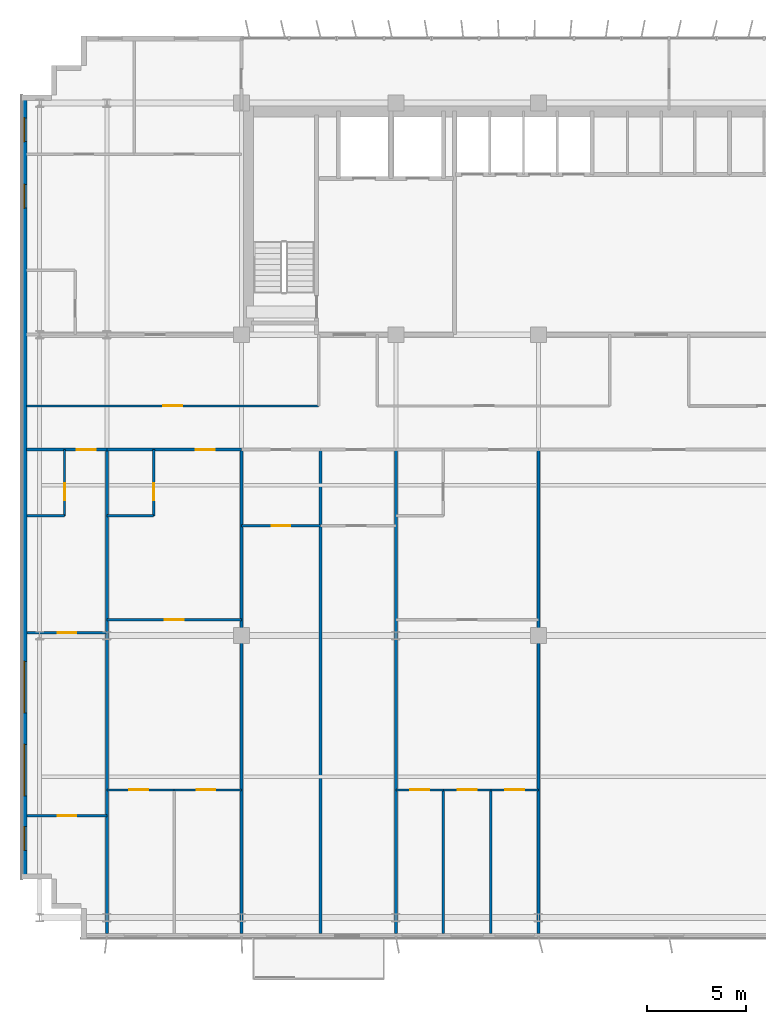
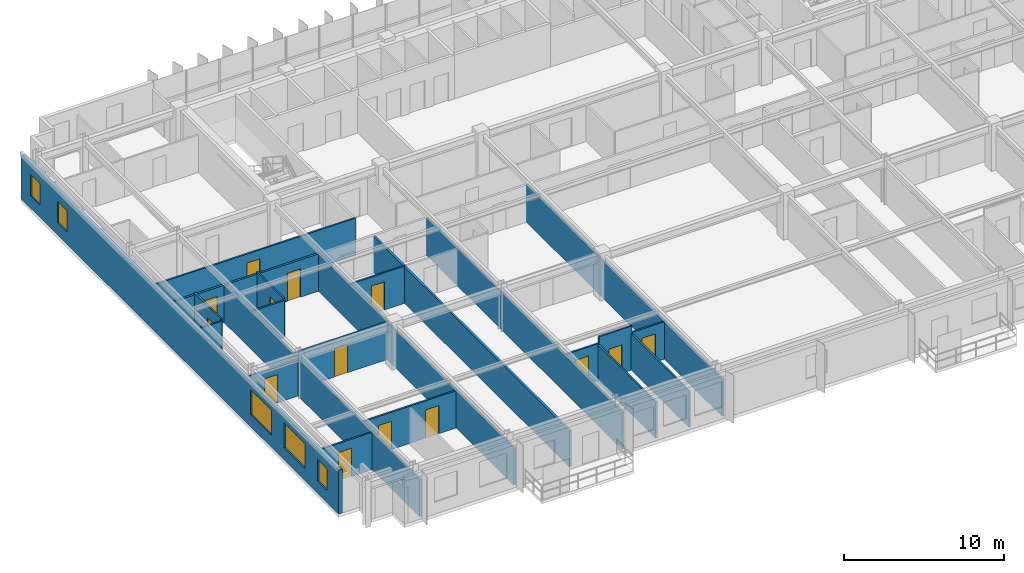
# One storey, part 14 of 22: 24 walls, 14 doors, 5 windows, 19 openings.
"""IFC4 building model written with IfcOpenShell, lengths in metres."""

from ifc_helpers import new_model, si_unit, direction, frame, frame_2d, origin, place, context, subcontext, project, spatial, rectangle, extrude, source, transform, mapped, material, layer, layer_set, type_object, element, fill, save


model = new_model("IFC4")

# Units and contexts
model_context = context("Model", 3, precision=1e-05, world=origin(), true_north=direction((0.0, 1.0)))
body_context = subcontext(model_context, "Body", "Model", "MODEL_VIEW")
ifc_project = project(units=[si_unit("LENGTHUNIT", "METRE"), si_unit("AREAUNIT", "SQUARE_METRE"), si_unit("VOLUMEUNIT", "CUBIC_METRE"), si_unit("PLANEANGLEUNIT", "RADIAN"), si_unit("MASSUNIT", "GRAM", prefix="KILO")], contexts=[model_context])

# Site, building, storey
site_placement = place(None, origin())
site = spatial("IfcSite", under=ifc_project, at=site_placement, CompositionType="ELEMENT")
building_placement = place(site_placement, origin())
building = spatial("IfcBuilding", under=site, at=building_placement, Name="Trelvane Seafront Commons", CompositionType="ELEMENT")
storey_placement = place(building_placement, frame((0.0, 0.0, 96.10009765625)))
storey = spatial("IfcBuildingStorey", under=building, at=storey_placement, Name="L24", CompositionType="ELEMENT", Elevation=96.10009765625)

# Wall, openings, windows
ifc_material_1 = material(Name="Precast concrete C40/50", Category="concrete")
ifc_layer_1 = layer(ifc_material_1, 0.260009765625, Name="ARCH-WALL-EXT260")
ifc_layer_set_1 = layer_set([ifc_layer_1], Name="Precast concrete C40/50")
wall_type_1 = type_object("IfcWallType", Name="ARCH-WALL-EXT260", PredefinedType="SOLIDWALL", material=ifc_layer_set_1)
wall_1_placement = place(storey_placement, frame((4.6298828125, 5.89990234375, 0.0), z_axis=(0.0, 0.0, 1.0), x_axis=(0.0, 1.0, 0.0)))
wall_1 = element("IfcWall", 1, at=wall_1_placement, inside=storey, type_object=wall_type_1, Name="EW-L24-00438", PredefinedType="SOLIDWALL", context=body_context, shape_type="SweptSolid", body=[
    extrude(rectangle(XDim=39.60009765625, YDim=0.260009765625, at=frame_2d((19.800048828125, 0.0))), origin(), (0.0, 0.0, 1.0), 3.33984375),
])
opening_1_placement = place(wall_1_placement, frame((1.449951171875, 0.0, 0.919921875)))
opening_1 = element("IfcOpeningElement", 2, at=opening_1_placement, cuts=wall_1, Name="Opening W05", PredefinedType="OPENING", context=body_context, shape_type="SweptSolid", body=[
    extrude(rectangle(XDim=1.199951171875, YDim=1.64990234375, at=frame_2d((0.60009765625, 0.824951171875))), frame((0.0, 0.139892578125, 0.0), z_axis=(0.0, -1.0, 0.0), x_axis=(1.0, 0.0, 0.0)), (0.0, 0.0, 1.0), 0.280029296875),
])
opening_2_placement = place(wall_1_placement, frame((4.199951171875, 0.0, 0.919921875)))
opening_2 = element("IfcOpeningElement", 3, at=opening_2_placement, cuts=wall_1, Name="Opening W04", PredefinedType="OPENING", context=body_context, shape_type="SweptSolid", body=[
    extrude(rectangle(XDim=2.60009765625, YDim=1.89990234375, at=frame_2d((1.300048828125, 0.949951171875))), frame((0.0, 0.139892578125, 0.0), z_axis=(0.0, -1.0, 0.0), x_axis=(1.0, 0.0, 0.0)), (0.0, 0.0, 1.0), 0.280029296875),
])
opening_3_placement = place(wall_1_placement, frame((8.39990234375, 0.0, 0.919921875)))
opening_3 = element("IfcOpeningElement", 4, at=opening_3_placement, cuts=wall_1, Name="Opening W04", PredefinedType="OPENING", context=body_context, shape_type="SweptSolid", body=[
    extrude(rectangle(XDim=2.60009765625, YDim=1.89990234375, at=frame_2d((1.300048828125, 0.949951171875))), frame((0.0, 0.139892578125, 0.0), z_axis=(0.0, -1.0, 0.0), x_axis=(1.0, 0.0, 0.0)), (0.0, 0.0, 1.0), 0.280029296875),
])
opening_4_placement = place(wall_1_placement, frame((33.89990234375, 0.0, 0.919921875)))
opening_4 = element("IfcOpeningElement", 5, at=opening_4_placement, cuts=wall_1, Name="Opening W05", PredefinedType="OPENING", context=body_context, shape_type="SweptSolid", body=[
    extrude(rectangle(XDim=1.199951171875, YDim=1.64990234375, at=frame_2d((0.60009765625, 0.824951171875))), frame((0.0, 0.139892578125, 0.0), z_axis=(0.0, -1.0, 0.0), x_axis=(1.0, 0.0, 0.0)), (0.0, 0.0, 1.0), 0.280029296875),
])
opening_5_placement = place(wall_1_placement, frame((37.25, 0.0, 0.919921875)))
opening_5 = element("IfcOpeningElement", 6, at=opening_5_placement, cuts=wall_1, Name="Opening W05", PredefinedType="OPENING", context=body_context, shape_type="SweptSolid", body=[
    extrude(rectangle(XDim=1.199951171875, YDim=1.64990234375, at=frame_2d((0.60009765625, 0.824951171875))), frame((0.0, 0.139892578125, 0.0), z_axis=(0.0, -1.0, 0.0), x_axis=(1.0, 0.0, 0.0)), (0.0, 0.0, 1.0), 0.280029296875),
])
ifc_material_2 = material(Name="Low-E coastal double glazing", Category="glass")
window_type_1 = type_object("IfcWindowType", Name="ARCH-WIN-W04", PartitioningType="SINGLE_PANEL", PredefinedType="WINDOW", material=ifc_material_2)
shared_shape_1 = source(origin(), body_context, "Body", "SweptSolid", [
    extrude(rectangle(XDim=2.60009765625, YDim=1.89990234375, at=frame_2d((1.300048828125, 0.949951171875))), frame((0.0, 0.030029296875, 0.0), z_axis=(0.0, -1.0, 0.0), x_axis=(1.0, 0.0, 0.0)), (0.0, 0.0, 1.0), 0.06005859375),
])
window_1_placement = place(opening_2_placement, origin())
window_1 = element("IfcWindow", 7, at=window_1_placement, inside=storey, type_object=window_type_1, Name="WIN-L24-EW-00508", OverallHeight=1.89990234375, OverallWidth=2.60009765625, PartitioningType="SINGLE_PANEL", PredefinedType="WINDOW", context=body_context, shape_type="MappedRepresentation", body=[
    mapped(shared_shape_1, transform((0.0, 0.0, 0.0), x_axis=(1.0, 0.0, 0.0), y_axis=(0.0, 1.0, 0.0), z_axis=(0.0, 0.0, 1.0), scale=1.0)),
])
fill(opening_2, window_1)
window_2_placement = place(opening_3_placement, origin())
window_2 = element("IfcWindow", 8, at=window_2_placement, inside=storey, type_object=window_type_1, Name="WIN-L24-EW-00509", OverallHeight=1.89990234375, OverallWidth=2.60009765625, PartitioningType="SINGLE_PANEL", PredefinedType="WINDOW", context=body_context, shape_type="MappedRepresentation", body=[
    mapped(shared_shape_1, transform((0.0, 0.0, 0.0), x_axis=(1.0, 0.0, 0.0), y_axis=(0.0, 1.0, 0.0), z_axis=(0.0, 0.0, 1.0), scale=1.0)),
])
fill(opening_3, window_2)
window_type_2 = type_object("IfcWindowType", Name="ARCH-WIN-W05", PartitioningType="SINGLE_PANEL", PredefinedType="WINDOW", material=ifc_material_2)
shared_shape_2 = source(origin(), body_context, "Body", "SweptSolid", [
    extrude(rectangle(XDim=1.199951171875, YDim=1.64990234375, at=frame_2d((0.60009765625, 0.824951171875))), frame((0.0, 0.030029296875, 0.0), z_axis=(0.0, -1.0, 0.0), x_axis=(1.0, 0.0, 0.0)), (0.0, 0.0, 1.0), 0.06005859375),
])
window_3_placement = place(opening_1_placement, origin())
window_3 = element("IfcWindow", 9, at=window_3_placement, inside=storey, type_object=window_type_2, Name="WIN-L24-EW-00507", OverallHeight=1.64990234375, OverallWidth=1.199951171875, PartitioningType="SINGLE_PANEL", PredefinedType="WINDOW", context=body_context, shape_type="MappedRepresentation", body=[
    mapped(shared_shape_2, transform((0.0, 0.0, 0.0), x_axis=(1.0, 0.0, 0.0), y_axis=(0.0, 1.0, 0.0), z_axis=(0.0, 0.0, 1.0), scale=1.0)),
])
fill(opening_1, window_3)
window_4_placement = place(opening_4_placement, origin())
window_4 = element("IfcWindow", 10, at=window_4_placement, inside=storey, type_object=window_type_2, Name="WIN-L24-EW-00510", OverallHeight=1.64990234375, OverallWidth=1.199951171875, PartitioningType="SINGLE_PANEL", PredefinedType="WINDOW", context=body_context, shape_type="MappedRepresentation", body=[
    mapped(shared_shape_2, transform((0.0, 0.0, 0.0), x_axis=(1.0, 0.0, 0.0), y_axis=(0.0, 1.0, 0.0), z_axis=(0.0, 0.0, 1.0), scale=1.0)),
])
fill(opening_4, window_4)
window_5_placement = place(opening_5_placement, origin())
window_5 = element("IfcWindow", 11, at=window_5_placement, inside=storey, type_object=window_type_2, Name="WIN-L24-EW-00511", OverallHeight=1.64990234375, OverallWidth=1.199951171875, PartitioningType="SINGLE_PANEL", PredefinedType="WINDOW", context=body_context, shape_type="MappedRepresentation", body=[
    mapped(shared_shape_2, transform((0.0, 0.0, 0.0), x_axis=(1.0, 0.0, 0.0), y_axis=(0.0, 1.0, 0.0), z_axis=(0.0, 0.0, 1.0), scale=1.0)),
])
fill(opening_5, window_5)

# Wall, opening, door
ifc_material_3 = material(Name="Gypsum Drywall Acoustic Partition")
ifc_layer_2 = layer(ifc_material_3, 0.1201171875, Name="ARCH-WALL-PART120")
ifc_layer_set_2 = layer_set([ifc_layer_2], Name="Gypsum Drywall Acoustic Partition")
wall_type_2 = type_object("IfcWallType", Name="ARCH-WALL-PART120", PredefinedType="PARTITIONING", material=ifc_layer_set_2)
wall_2_placement = place(storey_placement, frame((4.75, 29.800048828125, 0.0), z_axis=(0.0, 0.0, 1.0), x_axis=(1.0, 0.0, 0.0)))
wall_2 = element("IfcWall", 12, at=wall_2_placement, inside=storey, type_object=wall_type_2, Name="W-L24-CORR-N-W-039", PredefinedType="PARTITIONING", context=body_context, shape_type="SweptSolid", body=[
    extrude(rectangle(XDim=14.75, YDim=0.1201171875, at=frame_2d((7.375, 0.0))), origin(), (0.0, 0.0, 1.0), 2.83984375),
])
opening_6_placement = place(wall_2_placement, frame((6.89990234375, 0.0, 0.0)))
opening_6 = element("IfcOpeningElement", 13, at=opening_6_placement, cuts=wall_2, Name="Opening D-L24-19", PredefinedType="OPENING", context=body_context, shape_type="SweptSolid", body=[
    extrude(rectangle(XDim=0.949951171875, YDim=2.14990234375, at=frame_2d((0.47509765625, 1.074951171875))), frame((0.0, 0.070068359375, 0.0), z_axis=(0.0, -1.0, 0.0), x_axis=(1.0, 0.0, 0.0)), (0.0, 0.0, 1.0), 0.14013671875),
])
ifc_material_4 = material(Name="Acoustic timber door leaf", Category="wood")
door_type_1 = type_object("IfcDoorType", Name="ARCH-DR-INT950", OperationType="NOTDEFINED", PredefinedType="DOOR", material=ifc_material_4)
shared_shape_3 = source(origin(), body_context, "Body", "SweptSolid", [
    extrude(rectangle(XDim=0.949951171875, YDim=2.14990234375, at=frame_2d((0.47509765625, 1.074951171875))), frame((0.0, 0.02490234375, 0.0), z_axis=(0.0, -1.0, 0.0), x_axis=(1.0, 0.0, 0.0)), (0.0, 0.0, 1.0), 0.050048828125),
])
door_1_placement = place(opening_6_placement, origin())
door_1 = element("IfcDoor", 14, at=door_1_placement, inside=storey, type_object=door_type_1, Name="L24 Door 19", OperationType="SINGLE_SWING_LEFT", OverallHeight=2.14990234375, OverallWidth=0.949951171875, PredefinedType="DOOR", context=body_context, shape_type="MappedRepresentation", body=[
    mapped(shared_shape_3, transform((0.0, 0.0, 0.0), x_axis=(1.0, 0.0, 0.0), y_axis=(0.0, 1.0, 0.0), z_axis=(0.0, 0.0, 1.0), scale=1.0)),
])
fill(opening_6, door_1)

wall_3_placement = place(storey_placement, frame((4.760009765625, 18.35009765625, 0.0), z_axis=(0.0, 0.0, 1.0), x_axis=(1.0, 0.0, 0.0)))
wall_3 = element("IfcWall", 15, at=wall_3_placement, inside=storey, type_object=wall_type_2, Name="W-L24-U1-KL-070", PredefinedType="PARTITIONING", context=body_context, shape_type="SweptSolid", body=[
    extrude(rectangle(XDim=4.0400390625, YDim=0.1201171875, at=frame_2d((2.02001953125, 0.0))), origin(), (0.0, 0.0, 1.0), 2.751953125),
])
opening_7_placement = place(wall_3_placement, frame((1.544921875, 0.0, 0.0)))
opening_7 = element("IfcOpeningElement", 16, at=opening_7_placement, cuts=wall_3, Name="Opening D-L24-32", PredefinedType="OPENING", context=body_context, shape_type="SweptSolid", body=[
    extrude(rectangle(XDim=0.949951171875, YDim=2.14990234375, at=frame_2d((0.47509765625, 1.074951171875))), frame((0.0, 0.070068359375, 0.0), z_axis=(0.0, -1.0, 0.0), x_axis=(1.0, 0.0, 0.0)), (0.0, 0.0, 1.0), 0.14013671875),
])
door_2_placement = place(opening_7_placement, origin())
door_2 = element("IfcDoor", 17, at=door_2_placement, inside=storey, type_object=door_type_1, Name="L24 Door 32", OperationType="SINGLE_SWING_RIGHT", OverallHeight=2.14990234375, OverallWidth=0.949951171875, PredefinedType="DOOR", context=body_context, shape_type="MappedRepresentation", body=[
    mapped(shared_shape_3, transform((0.0, 0.0, 0.0), x_axis=(1.0, 0.0, 0.0), y_axis=(0.0, 1.0, 0.0), z_axis=(0.0, 0.0, 1.0), scale=1.0)),
])
fill(opening_7, door_2)

wall_4_placement = place(storey_placement, frame((6.659912109375, 24.25, 0.0), z_axis=(0.0, 0.0, 1.0), x_axis=(0.0, 1.0, 0.0)))
wall_4 = element("IfcWall", 18, at=wall_4_placement, inside=storey, type_object=wall_type_2, Name="W-L24-U1-BE-071", PredefinedType="PARTITIONING", context=body_context, shape_type="SweptSolid", body=[
    extrude(rectangle(XDim=3.35009765625, YDim=0.1201171875, at=frame_2d((1.675048828125, 0.0))), origin(), (0.0, 0.0, 1.0), 2.989990234375),
])
opening_8_placement = place(wall_4_placement, frame((0.800048828125, 0.0, 0.0)))
opening_8 = element("IfcOpeningElement", 19, at=opening_8_placement, cuts=wall_4, Name="Opening D-L24-33", PredefinedType="OPENING", context=body_context, shape_type="SweptSolid", body=[
    extrude(rectangle(XDim=0.85009765625, YDim=2.10009765625, at=frame_2d((0.425048828125, 1.050048828125))), frame((0.0, 0.070068359375, 0.0), z_axis=(0.0, -1.0, 0.0), x_axis=(1.0, 0.0, 0.0)), (0.0, 0.0, 1.0), 0.14013671875),
])
door_type_2 = type_object("IfcDoorType", Name="ARCH-DR-INT850", OperationType="NOTDEFINED", PredefinedType="DOOR", material=ifc_material_4)
shared_shape_4 = source(origin(), body_context, "Body", "SweptSolid", [
    extrude(rectangle(XDim=0.85009765625, YDim=2.10009765625, at=frame_2d((0.425048828125, 1.050048828125))), frame((0.0, 0.02490234375, 0.0), z_axis=(0.0, -1.0, 0.0), x_axis=(1.0, 0.0, 0.0)), (0.0, 0.0, 1.0), 0.050048828125),
])
door_3_placement = place(opening_8_placement, origin())
door_3 = element("IfcDoor", 20, at=door_3_placement, inside=storey, type_object=door_type_2, Name="L24 Door 33", OperationType="SINGLE_SWING_LEFT", OverallHeight=2.10009765625, OverallWidth=0.85009765625, PredefinedType="DOOR", context=body_context, shape_type="MappedRepresentation", body=[
    mapped(shared_shape_4, transform((0.0, 0.0, 0.0), x_axis=(1.0, 0.0, 0.0), y_axis=(0.0, 1.0, 0.0), z_axis=(0.0, 0.0, 1.0), scale=1.0)),
])
fill(opening_8, door_3)

# Wall
wall_5_placement = place(storey_placement, frame((4.760009765625, 24.25, 0.0), z_axis=(0.0, 0.0, 1.0), x_axis=(1.0, 0.0, 0.0)))
element("IfcWall", 21, at=wall_5_placement, inside=storey, type_object=wall_type_2, Name="W-L24-U1-BS-072", PredefinedType="PARTITIONING", context=body_context, shape_type="SweptSolid", body=[
    extrude(rectangle(XDim=1.89990234375, YDim=0.1201171875, at=frame_2d((0.949951171875, 0.0))), origin(), (0.0, 0.0, 1.0), 2.83984375),
])

# Wall, opening, door
wall_6_placement = place(storey_placement, frame((4.760009765625, 9.10009765625, 0.0), z_axis=(0.0, 0.0, 1.0), x_axis=(1.0, 0.0, 0.0)))
wall_6 = element("IfcWall", 22, at=wall_6_placement, inside=storey, type_object=wall_type_2, Name="W-L24-U1-YM-1-074", PredefinedType="PARTITIONING", context=body_context, shape_type="SweptSolid", body=[
    extrude(rectangle(XDim=4.0400390625, YDim=0.1201171875, at=frame_2d((2.02001953125, 0.0))), origin(), (0.0, 0.0, 1.0), 2.83984375),
])
opening_9_placement = place(wall_6_placement, frame((1.544921875, 0.0, 0.0)))
opening_9 = element("IfcOpeningElement", 23, at=opening_9_placement, cuts=wall_6, Name="Opening D-L24-35", PredefinedType="OPENING", context=body_context, shape_type="SweptSolid", body=[
    extrude(rectangle(XDim=0.949951171875, YDim=2.14990234375, at=frame_2d((0.47509765625, 1.074951171875))), frame((0.0, 0.070068359375, 0.0), z_axis=(0.0, -1.0, 0.0), x_axis=(1.0, 0.0, 0.0)), (0.0, 0.0, 1.0), 0.14013671875),
])
door_4_placement = place(opening_9_placement, origin())
door_4 = element("IfcDoor", 24, at=door_4_placement, inside=storey, type_object=door_type_1, Name="L24 Door 35", OperationType="SINGLE_SWING_LEFT", OverallHeight=2.14990234375, OverallWidth=0.949951171875, PredefinedType="DOOR", context=body_context, shape_type="MappedRepresentation", body=[
    mapped(shared_shape_3, transform((0.0, 0.0, 0.0), x_axis=(1.0, 0.0, 0.0), y_axis=(0.0, 1.0, 0.0), z_axis=(0.0, 0.0, 1.0), scale=1.0)),
])
fill(opening_9, door_4)

wall_7_placement = place(storey_placement, frame((8.800048828125, 19.0, 0.0), z_axis=(0.0, 0.0, 1.0), x_axis=(1.0, 0.0, 0.0)))
wall_7 = element("IfcWall", 25, at=wall_7_placement, inside=storey, type_object=wall_type_2, Name="W-L24-U2-KL-075", PredefinedType="PARTITIONING", context=body_context, shape_type="SweptSolid", body=[
    extrude(rectangle(XDim=6.800048828125, YDim=0.1201171875, at=frame_2d((3.39990234375, 0.0))), origin(), (0.0, 0.0, 1.0), 2.83984375),
])
opening_10_placement = place(wall_7_placement, frame((2.925048828125, 0.0, 0.0)))
opening_10 = element("IfcOpeningElement", 26, at=opening_10_placement, cuts=wall_7, Name="Opening D-L24-36", PredefinedType="OPENING", context=body_context, shape_type="SweptSolid", body=[
    extrude(rectangle(XDim=0.949951171875, YDim=2.14990234375, at=frame_2d((0.47509765625, 1.074951171875))), frame((0.0, 0.070068359375, 0.0), z_axis=(0.0, -1.0, 0.0), x_axis=(1.0, 0.0, 0.0)), (0.0, 0.0, 1.0), 0.14013671875),
])
door_5_placement = place(opening_10_placement, origin())
door_5 = element("IfcDoor", 27, at=door_5_placement, inside=storey, type_object=door_type_1, Name="L24 Door 36", OperationType="SINGLE_SWING_RIGHT", OverallHeight=2.14990234375, OverallWidth=0.949951171875, PredefinedType="DOOR", context=body_context, shape_type="MappedRepresentation", body=[
    mapped(shared_shape_3, transform((0.0, 0.0, 0.0), x_axis=(1.0, 0.0, 0.0), y_axis=(0.0, 1.0, 0.0), z_axis=(0.0, 0.0, 1.0), scale=1.0)),
])
fill(opening_10, door_5)

wall_8_placement = place(storey_placement, frame((11.162109375, 24.25, 0.0), z_axis=(0.0, 0.0, 1.0), x_axis=(0.0, 1.0, 0.0)))
wall_8 = element("IfcWall", 28, at=wall_8_placement, inside=storey, type_object=wall_type_2, Name="W-L24-U2-BE-076", PredefinedType="PARTITIONING", context=body_context, shape_type="SweptSolid", body=[
    extrude(rectangle(XDim=3.35009765625, YDim=0.1201171875, at=frame_2d((1.675048828125, 0.0))), origin(), (0.0, 0.0, 1.0), 2.989990234375),
])
opening_11_placement = place(wall_8_placement, frame((0.800048828125, 0.0, 0.0)))
opening_11 = element("IfcOpeningElement", 29, at=opening_11_placement, cuts=wall_8, Name="Opening D-L24-37", PredefinedType="OPENING", context=body_context, shape_type="SweptSolid", body=[
    extrude(rectangle(XDim=0.85009765625, YDim=2.10009765625, at=frame_2d((0.425048828125, 1.050048828125))), frame((0.0, 0.070068359375, 0.0), z_axis=(0.0, -1.0, 0.0), x_axis=(1.0, 0.0, 0.0)), (0.0, 0.0, 1.0), 0.14013671875),
])
door_6_placement = place(opening_11_placement, origin())
door_6 = element("IfcDoor", 30, at=door_6_placement, inside=storey, type_object=door_type_2, Name="L24 Door 37", OperationType="SINGLE_SWING_LEFT", OverallHeight=2.10009765625, OverallWidth=0.85009765625, PredefinedType="DOOR", context=body_context, shape_type="MappedRepresentation", body=[
    mapped(shared_shape_4, transform((0.0, 0.0, 0.0), x_axis=(1.0, 0.0, 0.0), y_axis=(0.0, 1.0, 0.0), z_axis=(0.0, 0.0, 1.0), scale=1.0)),
])
fill(opening_11, door_6)

# Wall
wall_9_placement = place(storey_placement, frame((8.800048828125, 24.25, 0.0), z_axis=(0.0, 0.0, 1.0), x_axis=(1.0, 0.0, 0.0)))
element("IfcWall", 31, at=wall_9_placement, inside=storey, type_object=wall_type_2, Name="W-L24-U2-BS-077", PredefinedType="PARTITIONING", context=body_context, shape_type="SweptSolid", body=[
    extrude(rectangle(XDim=2.362060546875, YDim=0.1201171875, at=frame_2d((1.18115234375, 0.0))), origin(), (0.0, 0.0, 1.0), 2.83984375),
])

# Wall, opening, door
wall_10_placement = place(storey_placement, frame((8.800048828125, 10.39990234375, 0.0), z_axis=(0.0, 0.0, 1.0), x_axis=(1.0, 0.0, 0.0)))
wall_10 = element("IfcWall", 32, at=wall_10_placement, inside=storey, type_object=wall_type_2, Name="W-L24-U2-YM-1-079", PredefinedType="PARTITIONING", context=body_context, shape_type="SweptSolid", body=[
    extrude(rectangle(XDim=3.39990234375, YDim=0.1201171875, at=frame_2d((1.699951171875, 0.0))), origin(), (0.0, 0.0, 1.0), 2.83984375),
])
opening_12_placement = place(wall_10_placement, frame((1.131103515625, 0.0, 0.0)))
opening_12 = element("IfcOpeningElement", 33, at=opening_12_placement, cuts=wall_10, Name="Opening D-L24-39", PredefinedType="OPENING", context=body_context, shape_type="SweptSolid", body=[
    extrude(rectangle(XDim=0.949951171875, YDim=2.14990234375, at=frame_2d((0.47509765625, 1.074951171875))), frame((0.0, 0.070068359375, 0.0), z_axis=(0.0, -1.0, 0.0), x_axis=(1.0, 0.0, 0.0)), (0.0, 0.0, 1.0), 0.14013671875),
])
door_7_placement = place(opening_12_placement, origin())
door_7 = element("IfcDoor", 34, at=door_7_placement, inside=storey, type_object=door_type_1, Name="L24 Door 39", OperationType="SINGLE_SWING_LEFT", OverallHeight=2.14990234375, OverallWidth=0.949951171875, PredefinedType="DOOR", context=body_context, shape_type="MappedRepresentation", body=[
    mapped(shared_shape_3, transform((0.0, 0.0, 0.0), x_axis=(1.0, 0.0, 0.0), y_axis=(0.0, 1.0, 0.0), z_axis=(0.0, 0.0, 1.0), scale=1.0)),
])
fill(opening_12, door_7)

wall_11_placement = place(storey_placement, frame((12.199951171875, 10.39990234375, 0.0), z_axis=(0.0, 0.0, 1.0), x_axis=(1.0, 0.0, 0.0)))
wall_11 = element("IfcWall", 35, at=wall_11_placement, inside=storey, type_object=wall_type_2, Name="W-L24-U2-YM-2-080", PredefinedType="PARTITIONING", context=body_context, shape_type="SweptSolid", body=[
    extrude(rectangle(XDim=3.400146484375, YDim=0.1201171875, at=frame_2d((1.7001953125, 0.0))), origin(), (0.0, 0.0, 1.0), 2.83984375),
])
opening_13_placement = place(wall_11_placement, frame((1.131103515625, 0.0, 0.0)))
opening_13 = element("IfcOpeningElement", 36, at=opening_13_placement, cuts=wall_11, Name="Opening D-L24-40", PredefinedType="OPENING", context=body_context, shape_type="SweptSolid", body=[
    extrude(rectangle(XDim=0.949951171875, YDim=2.14990234375, at=frame_2d((0.47509765625, 1.074951171875))), frame((0.0, 0.070068359375, 0.0), z_axis=(0.0, -1.0, 0.0), x_axis=(1.0, 0.0, 0.0)), (0.0, 0.0, 1.0), 0.14013671875),
])
door_8_placement = place(opening_13_placement, origin())
door_8 = element("IfcDoor", 37, at=door_8_placement, inside=storey, type_object=door_type_1, Name="L24 Door 40", OperationType="SINGLE_SWING_RIGHT", OverallHeight=2.14990234375, OverallWidth=0.949951171875, PredefinedType="DOOR", context=body_context, shape_type="MappedRepresentation", body=[
    mapped(shared_shape_3, transform((0.0, 0.0, 0.0), x_axis=(1.0, 0.0, 0.0), y_axis=(0.0, 1.0, 0.0), z_axis=(0.0, 0.0, 1.0), scale=1.0)),
])
fill(opening_13, door_8)

wall_12_placement = place(storey_placement, frame((15.60009765625, 23.75, 0.0), z_axis=(0.0, 0.0, 1.0), x_axis=(1.0, 0.0, 0.0)))
wall_12 = element("IfcWall", 38, at=wall_12_placement, inside=storey, type_object=wall_type_2, Name="W-L24-U3-DIV-083", PredefinedType="PARTITIONING", context=body_context, shape_type="SweptSolid", body=[
    extrude(rectangle(XDim=4.0, YDim=0.1201171875, at=frame_2d((2.0, 0.0))), origin(), (0.0, 0.0, 1.0), 2.83984375),
])
opening_14_placement = place(wall_12_placement, frame((1.52490234375, 0.0, 0.0)))
opening_14 = element("IfcOpeningElement", 39, at=opening_14_placement, cuts=wall_12, Name="Opening D-L24-42", PredefinedType="OPENING", context=body_context, shape_type="SweptSolid", body=[
    extrude(rectangle(XDim=0.949951171875, YDim=2.14990234375, at=frame_2d((0.47509765625, 1.074951171875))), frame((0.0, 0.070068359375, 0.0), z_axis=(0.0, -1.0, 0.0), x_axis=(1.0, 0.0, 0.0)), (0.0, 0.0, 1.0), 0.14013671875),
])
door_9_placement = place(opening_14_placement, origin())
door_9 = element("IfcDoor", 40, at=door_9_placement, inside=storey, type_object=door_type_1, Name="L24 Door 42", OperationType="SINGLE_SWING_RIGHT", OverallHeight=2.14990234375, OverallWidth=0.949951171875, PredefinedType="DOOR", context=body_context, shape_type="MappedRepresentation", body=[
    mapped(shared_shape_3, transform((0.0, 0.0, 0.0), x_axis=(1.0, 0.0, 0.0), y_axis=(0.0, 1.0, 0.0), z_axis=(0.0, 0.0, 1.0), scale=1.0)),
])
fill(opening_14, door_9)

wall_13_placement = place(storey_placement, frame((23.39990234375, 10.39990234375, 0.0), z_axis=(0.0, 0.0, 1.0), x_axis=(1.0, 0.0, 0.0)))
wall_13 = element("IfcWall", 41, at=wall_13_placement, inside=storey, type_object=wall_type_2, Name="W-L24-U5-YM-1-090", PredefinedType="PARTITIONING", context=body_context, shape_type="SweptSolid", body=[
    extrude(rectangle(XDim=2.400146484375, YDim=0.1201171875, at=frame_2d((1.2001953125, 0.0))), origin(), (0.0, 0.0, 1.0), 2.83984375),
])
opening_15_placement = place(wall_13_placement, frame((0.72509765625, 0.0, 0.0)))
opening_15 = element("IfcOpeningElement", 42, at=opening_15_placement, cuts=wall_13, Name="Opening D-L24-48", PredefinedType="OPENING", context=body_context, shape_type="SweptSolid", body=[
    extrude(rectangle(XDim=0.949951171875, YDim=2.14990234375, at=frame_2d((0.47509765625, 1.074951171875))), frame((0.0, 0.070068359375, 0.0), z_axis=(0.0, -1.0, 0.0), x_axis=(1.0, 0.0, 0.0)), (0.0, 0.0, 1.0), 0.14013671875),
])
door_10_placement = place(opening_15_placement, origin())
door_10 = element("IfcDoor", 43, at=door_10_placement, inside=storey, type_object=door_type_1, Name="L24 Door 48", OperationType="SINGLE_SWING_RIGHT", OverallHeight=2.14990234375, OverallWidth=0.949951171875, PredefinedType="DOOR", context=body_context, shape_type="MappedRepresentation", body=[
    mapped(shared_shape_3, transform((0.0, 0.0, 0.0), x_axis=(1.0, 0.0, 0.0), y_axis=(0.0, 1.0, 0.0), z_axis=(0.0, 0.0, 1.0), scale=1.0)),
])
fill(opening_15, door_10)

wall_14_placement = place(storey_placement, frame((25.800048828125, 10.39990234375, 0.0), z_axis=(0.0, 0.0, 1.0), x_axis=(1.0, 0.0, 0.0)))
wall_14 = element("IfcWall", 44, at=wall_14_placement, inside=storey, type_object=wall_type_2, Name="W-L24-U5-YM-2-091", PredefinedType="PARTITIONING", context=body_context, shape_type="SweptSolid", body=[
    extrude(rectangle(XDim=2.39990234375, YDim=0.1201171875, at=frame_2d((1.199951171875, 0.0))), origin(), (0.0, 0.0, 1.0), 3.33984375),
])
opening_16_placement = place(wall_14_placement, frame((0.72509765625, 0.0, 0.0)))
opening_16 = element("IfcOpeningElement", 45, at=opening_16_placement, cuts=wall_14, Name="Opening D-L24-49", PredefinedType="OPENING", context=body_context, shape_type="SweptSolid", body=[
    extrude(rectangle(XDim=0.949951171875, YDim=2.14990234375, at=frame_2d((0.47509765625, 1.074951171875))), frame((0.0, 0.070068359375, 0.0), z_axis=(0.0, -1.0, 0.0), x_axis=(1.0, 0.0, 0.0)), (0.0, 0.0, 1.0), 0.14013671875),
])
door_11_placement = place(opening_16_placement, origin())
door_11 = element("IfcDoor", 46, at=door_11_placement, inside=storey, type_object=door_type_1, Name="L24 Door 49", OperationType="SINGLE_SWING_LEFT", OverallHeight=2.14990234375, OverallWidth=0.949951171875, PredefinedType="DOOR", context=body_context, shape_type="MappedRepresentation", body=[
    mapped(shared_shape_3, transform((0.0, 0.0, 0.0), x_axis=(1.0, 0.0, 0.0), y_axis=(0.0, 1.0, 0.0), z_axis=(0.0, 0.0, 1.0), scale=1.0)),
])
fill(opening_16, door_11)

# Wall
wall_15_placement = place(storey_placement, frame((25.800048828125, 3.14501953125, 0.0), z_axis=(0.0, 0.0, 1.0), x_axis=(0.0, 1.0, 0.0)))
element("IfcWall", 47, at=wall_15_placement, inside=storey, type_object=wall_type_2, Name="W-L24-U5-BDV-1-092", PredefinedType="PARTITIONING", context=body_context, shape_type="SweptSolid", body=[
    extrude(rectangle(XDim=7.2548828125, YDim=0.1201171875, at=frame_2d((3.62744140625, 0.0))), origin(), (0.0, 0.0, 1.0), 2.751953125),
])

# Wall, opening, door
wall_16_placement = place(storey_placement, frame((28.199951171875, 10.39990234375, 0.0), z_axis=(0.0, 0.0, 1.0), x_axis=(1.0, 0.0, 0.0)))
wall_16 = element("IfcWall", 48, at=wall_16_placement, inside=storey, type_object=wall_type_2, Name="W-L24-U5-YM-3-093", PredefinedType="PARTITIONING", context=body_context, shape_type="SweptSolid", body=[
    extrude(rectangle(XDim=2.400146484375, YDim=0.1201171875, at=frame_2d((1.2001953125, 0.0))), origin(), (0.0, 0.0, 1.0), 2.83984375),
])
opening_17_placement = place(wall_16_placement, frame((0.72509765625, 0.0, 0.0)))
opening_17 = element("IfcOpeningElement", 49, at=opening_17_placement, cuts=wall_16, Name="Opening D-L24-50", PredefinedType="OPENING", context=body_context, shape_type="SweptSolid", body=[
    extrude(rectangle(XDim=0.949951171875, YDim=2.14990234375, at=frame_2d((0.47509765625, 1.074951171875))), frame((0.0, 0.070068359375, 0.0), z_axis=(0.0, -1.0, 0.0), x_axis=(1.0, 0.0, 0.0)), (0.0, 0.0, 1.0), 0.14013671875),
])
door_12_placement = place(opening_17_placement, origin())
door_12 = element("IfcDoor", 50, at=door_12_placement, inside=storey, type_object=door_type_1, Name="L24 Door 50", OperationType="SINGLE_SWING_RIGHT", OverallHeight=2.14990234375, OverallWidth=0.949951171875, PredefinedType="DOOR", context=body_context, shape_type="MappedRepresentation", body=[
    mapped(shared_shape_3, transform((0.0, 0.0, 0.0), x_axis=(1.0, 0.0, 0.0), y_axis=(0.0, 1.0, 0.0), z_axis=(0.0, 0.0, 1.0), scale=1.0)),
])
fill(opening_17, door_12)

# Walls
wall_17_placement = place(storey_placement, frame((28.199951171875, 3.14501953125, 0.0), z_axis=(0.0, 0.0, 1.0), x_axis=(0.0, 1.0, 0.0)))
element("IfcWall", 51, at=wall_17_placement, inside=storey, type_object=wall_type_2, Name="W-L24-U5-BDV-2-094", PredefinedType="PARTITIONING", context=body_context, shape_type="SweptSolid", body=[
    extrude(rectangle(XDim=7.2548828125, YDim=0.1201171875, at=frame_2d((3.62744140625, 0.0))), origin(), (0.0, 0.0, 1.0), 2.751953125),
])
ifc_layer_3 = layer(ifc_material_3, 0.14990234375, Name="ARCH-WALL-PART150")
ifc_layer_set_3 = layer_set([ifc_layer_3], Name="Gypsum Drywall Acoustic Partition")
wall_type_3 = type_object("IfcWallType", Name="ARCH-WALL-PART150", PredefinedType="PARTITIONING", material=ifc_layer_set_3)
for number, where, z_axis, x_axis, name in (
    (52, (8.800048828125, 3.14501953125, 0.0), (0.0, 0.0, 1.0), (0.0, 1.0, 0.0), "W-L24-PW-1-060"),
    (53, (15.60009765625, 3.14501953125, 0.0), (0.0, 0.0, 1.0), (0.0, 1.0, 0.0), "W-L24-PW-2-061"),
):
    element("IfcWall", number, at=place(storey_placement, frame(where, z_axis=z_axis, x_axis=x_axis)), inside=storey, type_object=wall_type_3, Name=name, PredefinedType="PARTITIONING", context=body_context, shape_type="SweptSolid", body=[
        extrude(rectangle(XDim=24.455078125, YDim=0.14990234375, at=frame_2d((12.2275390625, 0.0))), origin(), (0.0, 0.0, 1.0), 2.83984375),
    ])
wall_18_placement = place(storey_placement, frame((19.60009765625, 3.14501953125, 0.0), z_axis=(0.0, 0.0, 1.0), x_axis=(0.0, 1.0, 0.0)))
element("IfcWall", 54, at=wall_18_placement, inside=storey, type_object=wall_type_3, Name="W-L24-PW-3-062", PredefinedType="PARTITIONING", context=body_context, shape_type="SweptSolid", body=[
    extrude(rectangle(XDim=24.455078125, YDim=0.14990234375, at=frame_2d((12.2275390625, 0.0))), origin(), (0.0, 0.0, 1.0), 2.751953125),
])
for number, where, z_axis, x_axis, name in (
    (55, (23.39990234375, 3.14501953125, 0.0), (0.0, 0.0, 1.0), (0.0, 1.0, 0.0), "W-L24-PW-4-063"),
    (56, (30.60009765625, 3.14501953125, 0.0), (0.0, 0.0, 1.0), (0.0, 1.0, 0.0), "W-L24-PW-5-064"),
):
    element("IfcWall", number, at=place(storey_placement, frame(where, z_axis=z_axis, x_axis=x_axis)), inside=storey, type_object=wall_type_3, Name=name, PredefinedType="PARTITIONING", context=body_context, shape_type="SweptSolid", body=[
        extrude(rectangle(XDim=24.455078125, YDim=0.14990234375, at=frame_2d((12.2275390625, 0.0))), origin(), (0.0, 0.0, 1.0), 2.83984375),
    ])

# Wall, opening, door
wall_19_placement = place(storey_placement, frame((4.7451171875, 27.60009765625, 0.0), z_axis=(0.0, 0.0, 1.0), x_axis=(1.0, 0.0, 0.0)))
wall_19 = element("IfcWall", 57, at=wall_19_placement, inside=storey, type_object=wall_type_3, Name="W-L24-CS-BAY-1-073", PredefinedType="PARTITIONING", context=body_context, shape_type="SweptSolid", body=[
    extrude(rectangle(XDim=4.054931640625, YDim=0.14990234375, at=frame_2d((2.02734375, 0.0))), origin(), (0.0, 0.0, 1.0), 2.83984375),
])
opening_18_placement = place(wall_19_placement, frame((2.5439453125, 0.0, 0.0)))
opening_18 = element("IfcOpeningElement", 58, at=opening_18_placement, cuts=wall_19, Name="Opening FD-L24-34", PredefinedType="OPENING", context=body_context, shape_type="SweptSolid", body=[
    extrude(rectangle(XDim=0.949951171875, YDim=2.14990234375, at=frame_2d((0.47509765625, 1.074951171875))), frame((0.0, 0.0849609375, 0.0), z_axis=(0.0, -1.0, 0.0), x_axis=(1.0, 0.0, 0.0)), (0.0, 0.0, 1.0), 0.169921875),
])
ifc_material_5 = material(Name="Powder-coated aluminium frame", Category="aluminium")
door_type_3 = type_object("IfcDoorType", Name="ARCH-DR-FD60-950", OperationType="NOTDEFINED", PredefinedType="DOOR", material=ifc_material_5)
door_13_placement = place(opening_18_placement, origin())
door_13 = element("IfcDoor", 59, at=door_13_placement, inside=storey, type_object=door_type_3, Name="L24 Unit 01 Entrance Door", OperationType="SINGLE_SWING_RIGHT", OverallHeight=2.14990234375, OverallWidth=0.949951171875, PredefinedType="DOOR", context=body_context, shape_type="MappedRepresentation", body=[
    mapped(shared_shape_3, transform((0.0, 0.0, 0.0), x_axis=(1.0, 0.0, 0.0), y_axis=(0.0, 1.0, 0.0), z_axis=(0.0, 0.0, 1.0), scale=1.0)),
])
fill(opening_18, door_13)

wall_20_placement = place(storey_placement, frame((8.800048828125, 27.60009765625, 0.0), z_axis=(0.0, 0.0, 1.0), x_axis=(1.0, 0.0, 0.0)))
wall_20 = element("IfcWall", 60, at=wall_20_placement, inside=storey, type_object=wall_type_3, Name="W-L24-CS-BAY-2-078", PredefinedType="PARTITIONING", context=body_context, shape_type="SweptSolid", body=[
    extrude(rectangle(XDim=6.800048828125, YDim=0.14990234375, at=frame_2d((3.39990234375, 0.0))), origin(), (0.0, 0.0, 1.0), 2.83984375),
])
opening_19_placement = place(wall_20_placement, frame((4.489990234375, 0.0, 0.0)))
opening_19 = element("IfcOpeningElement", 61, at=opening_19_placement, cuts=wall_20, Name="Opening FD-L24-38", PredefinedType="OPENING", context=body_context, shape_type="SweptSolid", body=[
    extrude(rectangle(XDim=0.949951171875, YDim=2.14990234375, at=frame_2d((0.47509765625, 1.074951171875))), frame((0.0, 0.0849609375, 0.0), z_axis=(0.0, -1.0, 0.0), x_axis=(1.0, 0.0, 0.0)), (0.0, 0.0, 1.0), 0.169921875),
])
door_14_placement = place(opening_19_placement, origin())
door_14 = element("IfcDoor", 62, at=door_14_placement, inside=storey, type_object=door_type_3, Name="L24 Unit 02 Entrance Door", OperationType="SINGLE_SWING_RIGHT", OverallHeight=2.14990234375, OverallWidth=0.949951171875, PredefinedType="DOOR", context=body_context, shape_type="MappedRepresentation", body=[
    mapped(shared_shape_3, transform((0.0, 0.0, 0.0), x_axis=(1.0, 0.0, 0.0), y_axis=(0.0, 1.0, 0.0), z_axis=(0.0, 0.0, 1.0), scale=1.0)),
])
fill(opening_19, door_14)

save(model, "model.ifc")
